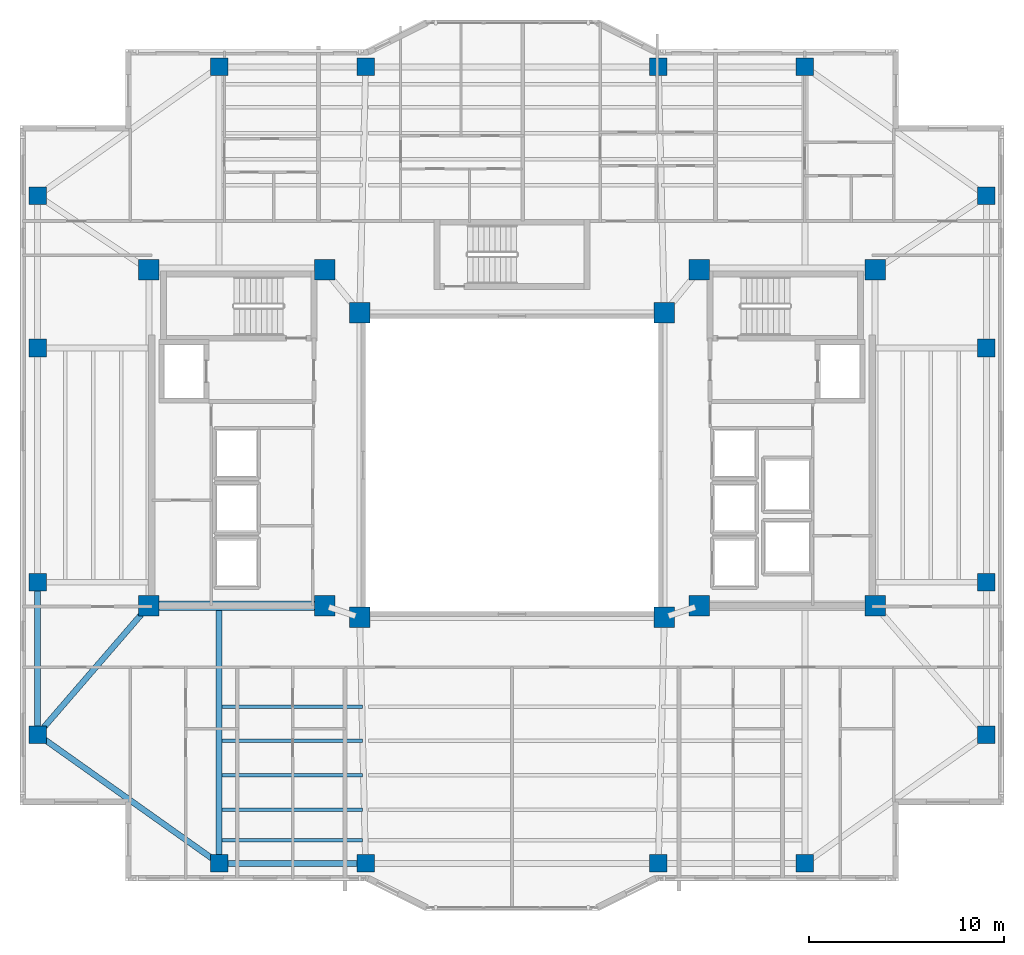
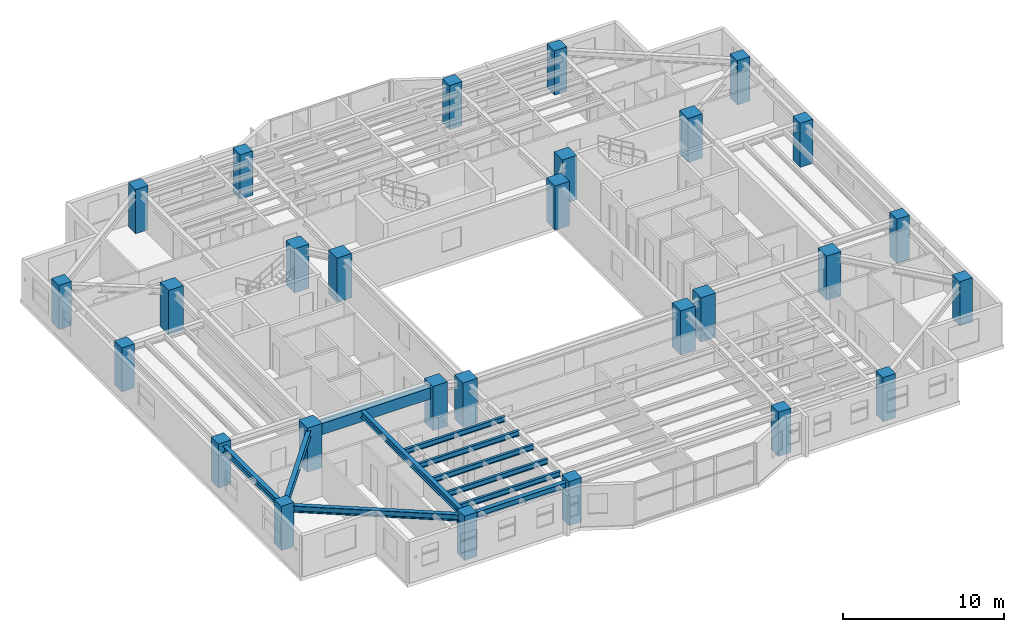
# One storey, part 1 of 16: 28 columns, 11 beams.
"""IFC4 building model written with IfcOpenShell, lengths in metres."""

from ifc_helpers import new_model, si_unit, direction, frame, origin, origin_2d, place, context, subcontext, project, spatial, rectangle, i_section, extrude, material, material_profile, profile_set, type_object, element, save


model = new_model("IFC4")

# Units and contexts
model_context = context("Model", 3, precision=1e-05, world=origin(), true_north=direction((0.0, 1.0)))
body_context = subcontext(model_context, "Body", "Model", "MODEL_VIEW")
ifc_project = project(units=[si_unit("LENGTHUNIT", "METRE"), si_unit("AREAUNIT", "SQUARE_METRE"), si_unit("VOLUMEUNIT", "CUBIC_METRE"), si_unit("PLANEANGLEUNIT", "RADIAN"), si_unit("MASSUNIT", "GRAM", prefix="KILO")], contexts=[model_context])

# Site, building, storey
site_placement = place(None, origin())
site = spatial("IfcSite", under=ifc_project, at=site_placement, CompositionType="ELEMENT")
building_placement = place(site_placement, origin())
building = spatial("IfcBuilding", under=site, at=building_placement, Name="Tarnavaz Court Tower", CompositionType="ELEMENT")
storey_placement = place(building_placement, frame((0.0, 0.0, 156.050048828125)))
storey = spatial("IfcBuildingStorey", under=building, at=storey_placement, Name="L42", CompositionType="ELEMENT", Elevation=156.050048828125)

# Columns
ifc_material_1 = material(Name="Concrete C60/75", Category="concrete")
ifc_material_profile_1 = material_profile(ifc_material_1, rectangle(XDim=1.050048828125, YDim=1.050048828125, at=origin_2d()), Name="RC 1050X1050")
ifc_profile_set_1 = profile_set([ifc_material_profile_1], Name="Concrete C60/75")
column_type_1 = type_object("IfcColumnType", Name="CL-RC1050", PredefinedType="COLUMN", material=ifc_profile_set_1)
for number, where, z_axis, x_axis, name in (
    (1, (-7.800048828125, -7.800048828125, 0.0), (0.0, 0.0, 1.0), (1.0, 0.0, 0.0), "L42 Column IW-SW"),
    (2, (7.800048828125, -7.800048828125, 0.0), (0.0, 0.0, 1.0), (1.0, 0.0, 0.0), "L42 Column IW-SE"),
    (3, (-7.800048828125, 7.800048828125, 0.0), (0.0, 0.0, 1.0), (1.0, 0.0, 0.0), "L42 Column IW-NW"),
    (4, (7.800048828125, 7.800048828125, 0.0), (0.0, 0.0, 1.0), (1.0, 0.0, 0.0), "L42 Column IW-NE"),
    (5, (-9.60009765625, -7.199951171875, 0.0), (0.0, 0.0, 1.0), (1.0, 0.0, 0.0), "L42 Column CW-SI"),
    (6, (-9.60009765625, 10.0, 0.0), (0.0, 0.0, 1.0), (1.0, 0.0, 0.0), "L42 Column CW-NI"),
    (7, (9.60009765625, -7.199951171875, 0.0), (0.0, 0.0, 1.0), (1.0, 0.0, 0.0), "L42 Column CE-SI"),
    (8, (9.60009765625, 10.0, 0.0), (0.0, 0.0, 1.0), (1.0, 0.0, 0.0), "L42 Column CE-NI"),
    (9, (-18.60009765625, -7.199951171875, 0.0), (0.0, 0.0, 1.0), (1.0, 0.0, 0.0), "L42 Column CW-SO"),
    (10, (-18.60009765625, 10.0, 0.0), (0.0, 0.0, 1.0), (1.0, 0.0, 0.0), "L42 Column CW-NO"),
    (11, (18.60009765625, -7.199951171875, 0.0), (0.0, 0.0, 1.0), (1.0, 0.0, 0.0), "L42 Column CE-SO"),
    (12, (18.60009765625, 10.0, 0.0), (0.0, 0.0, 1.0), (1.0, 0.0, 0.0), "L42 Column CE-NO"),
):
    element("IfcColumn", number, at=place(storey_placement, frame(where, z_axis=z_axis, x_axis=x_axis)), inside=storey, type_object=column_type_1, Name=name, PredefinedType="COLUMN", context=body_context, shape_type="SweptSolid", body=[
        extrude(rectangle(XDim=1.050048828125, YDim=1.050048828125, at=origin_2d()), origin(), (0.0, 0.0, 1.0), 3.349853515625),
    ])
ifc_material_2 = material(Name="Concrete C50/60", Category="concrete")
ifc_material_profile_2 = material_profile(ifc_material_2, rectangle(XDim=0.89990234375, YDim=0.89990234375, at=origin_2d()), Name="RC 900X900")
ifc_profile_set_2 = profile_set([ifc_material_profile_2], Name="Concrete C50/60")
column_type_2 = type_object("IfcColumnType", Name="CL-RC900", PredefinedType="COLUMN", material=ifc_profile_set_2)
for number, where, z_axis, x_axis, name in (
    (13, (-15.0, 20.39990234375, 0.0), (0.0, 0.0, 1.0), (1.0, 0.0, 0.0), "L42 Column PN-1"),
    (14, (-7.5, 20.39990234375, 0.0), (0.0, 0.0, 1.0), (1.0, 0.0, 0.0), "L42 Column PN-2"),
    (15, (7.5, 20.39990234375, 0.0), (0.0, 0.0, 1.0), (1.0, 0.0, 0.0), "L42 Column PN-3"),
    (16, (15.0, 20.39990234375, 0.0), (0.0, 0.0, 1.0), (1.0, 0.0, 0.0), "L42 Column PN-4"),
    (17, (-15.0, -20.39990234375, 0.0), (0.0, 0.0, 1.0), (1.0, 0.0, 0.0), "L42 Column PS-1"),
    (18, (-7.5, -20.39990234375, 0.0), (0.0, 0.0, 1.0), (1.0, 0.0, 0.0), "L42 Column PS-2"),
    (19, (7.5, -20.39990234375, 0.0), (0.0, 0.0, 1.0), (1.0, 0.0, 0.0), "L42 Column PS-3"),
    (20, (15.0, -20.39990234375, 0.0), (0.0, 0.0, 1.0), (1.0, 0.0, 0.0), "L42 Column PS-4"),
    (21, (24.300048828125, -13.800048828125, 0.0), (0.0, 0.0, 1.0), (1.0, 0.0, 0.0), "L42 Column PE-1"),
    (22, (24.300048828125, -6.0, 0.0), (0.0, 0.0, 1.0), (1.0, 0.0, 0.0), "L42 Column PE-2"),
    (23, (24.300048828125, 6.0, 0.0), (0.0, 0.0, 1.0), (1.0, 0.0, 0.0), "L42 Column PE-3"),
    (24, (24.300048828125, 13.800048828125, 0.0), (0.0, 0.0, 1.0), (1.0, 0.0, 0.0), "L42 Column PE-4"),
    (25, (-24.300048828125, -13.800048828125, 0.0), (0.0, 0.0, 1.0), (1.0, 0.0, 0.0), "L42 Column PW-1"),
    (26, (-24.300048828125, -6.0, 0.0), (0.0, 0.0, 1.0), (1.0, 0.0, 0.0), "L42 Column PW-2"),
    (27, (-24.300048828125, 6.0, 0.0), (0.0, 0.0, 1.0), (1.0, 0.0, 0.0), "L42 Column PW-3"),
    (28, (-24.300048828125, 13.800048828125, 0.0), (0.0, 0.0, 1.0), (1.0, 0.0, 0.0), "L42 Column PW-4"),
):
    element("IfcColumn", number, at=place(storey_placement, frame(where, z_axis=z_axis, x_axis=x_axis)), inside=storey, type_object=column_type_2, Name=name, PredefinedType="COLUMN", context=body_context, shape_type="SweptSolid", body=[
        extrude(rectangle(XDim=0.89990234375, YDim=0.89990234375, at=origin_2d()), origin(), (0.0, 0.0, 1.0), 3.349853515625),
    ])

# Beams
ifc_material_profile_3 = material_profile(ifc_material_2, rectangle(XDim=0.5, YDim=0.85009765625, at=origin_2d()), Name="RC 500X850")
ifc_profile_set_3 = profile_set([ifc_material_profile_3], Name="Concrete C50/60")
beam_type_1 = type_object("IfcBeamType", Name="BM-CB850", PredefinedType="LINTEL", material=ifc_profile_set_3)
beam_1_placement = place(storey_placement, frame((-18.3798828125, -7.199951171875, 2.675048828125), z_axis=(1.0, 0.0, 0.0), x_axis=(0.0, 1.0, 0.0)))
element("IfcBeam", 29, at=beam_1_placement, inside=storey, type_object=beam_type_1, Name="L42 Beam IN-CW-SO-CW-SI", PredefinedType="LINTEL", context=body_context, shape_type="SweptSolid", body=[
    extrude(rectangle(XDim=0.5, YDim=0.85009765625, at=origin_2d()), origin(), (0.0, 0.0, 1.0), 8.559814453125),
])
ifc_material_3 = material(Name="Steel S355", Category="steel")
ifc_material_profile_4 = material_profile(ifc_material_3, i_section(OverallWidth=0.300048828125, OverallDepth=0.5, WebThickness=0.014404296875, FlangeThickness=0.028076171875, FilletRadius=0.027099609375, at=origin_2d()), Name="HEB 500")
ifc_profile_set_4 = profile_set([ifc_material_profile_4], Name="Steel S355")
beam_type_2 = type_object("IfcBeamType", Name="BM-G-HEB500", PredefinedType="USERDEFINED", material=ifc_profile_set_4)
beam_2_placement = place(storey_placement, frame((-15.0, -7.239990234375, 2.849853515625), z_axis=(0.0, -1.0, 0.0), x_axis=(1.0, 0.0, 0.0)))
element("IfcBeam", 30, at=beam_2_placement, inside=storey, type_object=beam_type_2, Name="L42 Beam RG-05", ObjectType="GIRDER", PredefinedType="USERDEFINED", context=body_context, shape_type="SweptSolid", body=[
    extrude(i_section(OverallWidth=0.300048828125, OverallDepth=0.5, WebThickness=0.014404296875, FlangeThickness=0.028076171875, FilletRadius=0.027099609375, at=origin_2d()), origin(), (0.0, 0.0, 1.0), 12.93994140625),
])
beam_3_placement = place(storey_placement, frame((-18.743896484375, -7.366455078125, 2.849853515625), z_axis=(-0.653610659012, -0.756830962914, 0.0), x_axis=(0.756830962914, -0.653610659012, 0.0)))
element("IfcBeam", 31, at=beam_3_placement, inside=storey, type_object=beam_type_2, Name="L42 Beam RG-15", ObjectType="GIRDER", PredefinedType="USERDEFINED", context=body_context, shape_type="SweptSolid", body=[
    extrude(i_section(OverallWidth=0.300048828125, OverallDepth=0.5, WebThickness=0.014404296875, FlangeThickness=0.028076171875, FilletRadius=0.027099609375, at=origin_2d()), origin(), (0.0, 0.0, 1.0), 8.28076171875),
])
ifc_material_profile_5 = material_profile(ifc_material_3, i_section(OverallWidth=0.179931640625, OverallDepth=0.39990234375, WebThickness=0.008544921875, FlangeThickness=0.013427734375, FilletRadius=0.02099609375, at=origin_2d()), Name="IPE 400")
ifc_profile_set_5 = profile_set([ifc_material_profile_5], Name="Steel S355")
beam_type_3 = type_object("IfcBeamType", Name="BM-J-IPE400", PredefinedType="JOIST", material=ifc_profile_set_5)
for number, where, z_axis, x_axis, name in (
    (32, (-14.85009765625, -12.364013671875, 2.89990234375), (1.0, 0.0, 0.0), (0.0, 1.0, 0.0), "L42 Beam JS1-1"),
    (33, (-14.85009765625, -14.1279296875, 2.89990234375), (1.0, 0.0, 0.0), (0.0, 1.0, 0.0), "L42 Beam JS2-1"),
    (34, (-14.85009765625, -15.89208984375, 2.89990234375), (1.0, 0.0, 0.0), (0.0, 1.0, 0.0), "L42 Beam JS3-1"),
    (35, (-14.85009765625, -17.656005859375, 2.89990234375), (1.0, 0.0, 0.0), (0.0, 1.0, 0.0), "L42 Beam JS4-1"),
    (36, (-14.85009765625, -19.22412109375, 2.89990234375), (1.0, 0.0, 0.0), (0.0, 1.0, 0.0), "L42 Beam JS5-1"),
):
    element("IfcBeam", number, at=place(storey_placement, frame(where, z_axis=z_axis, x_axis=x_axis)), inside=storey, type_object=beam_type_3, Name=name, PredefinedType="JOIST", context=body_context, shape_type="SweptSolid", body=[
        extrude(i_section(OverallWidth=0.179931640625, OverallDepth=0.39990234375, WebThickness=0.008544921875, FlangeThickness=0.013427734375, FilletRadius=0.02099609375, at=origin_2d()), origin(), (0.0, 0.0, 1.0), 7.2001953125),
    ])
ifc_material_profile_6 = material_profile(ifc_material_3, i_section(OverallWidth=0.300048828125, OverallDepth=0.489990234375, WebThickness=0.011962890625, FlangeThickness=0.02294921875, FilletRadius=0.027099609375, at=origin_2d()), Name="HEA 500")
ifc_profile_set_6 = profile_set([ifc_material_profile_6], Name="Steel S355")
beam_type_4 = type_object("IfcBeamType", Name="BM-SP-HEA500", PredefinedType="SPANDREL", material=ifc_profile_set_6)
beam_4_placement = place(storey_placement, frame((-14.780029296875, -20.39990234375, 2.85498046875), z_axis=(1.0, 0.0, 0.0), x_axis=(0.0, 1.0, 0.0)))
element("IfcBeam", 37, at=beam_4_placement, inside=storey, type_object=beam_type_4, Name="L42 Beam PR-PS-1-PS-2", PredefinedType="SPANDREL", context=body_context, shape_type="SweptSolid", body=[
    extrude(i_section(OverallWidth=0.300048828125, OverallDepth=0.489990234375, WebThickness=0.011962890625, FlangeThickness=0.02294921875, FilletRadius=0.027099609375, at=origin_2d()), origin(), (0.0, 0.0, 1.0), 7.06005859375),
])
beam_5_placement = place(storey_placement, frame((-24.300048828125, -13.580078125, 2.85498046875), z_axis=(0.0, 1.0, 0.0), x_axis=(-1.0, 0.0, 0.0)))
element("IfcBeam", 38, at=beam_5_placement, inside=storey, type_object=beam_type_4, Name="L42 Beam PR-PW-1-PW-2", PredefinedType="SPANDREL", context=body_context, shape_type="SweptSolid", body=[
    extrude(i_section(OverallWidth=0.300048828125, OverallDepth=0.489990234375, WebThickness=0.011962890625, FlangeThickness=0.02294921875, FilletRadius=0.027099609375, at=origin_2d()), origin(), (0.0, 0.0, 1.0), 7.360107421875),
])
beam_6_placement = place(storey_placement, frame((-15.179443359375, -20.272705078125, 2.85498046875), z_axis=(-0.815502059396, 0.57875417158, 0.0), x_axis=(-0.57875417158, -0.815502059396, 0.0)))
element("IfcBeam", 39, at=beam_6_placement, inside=storey, type_object=beam_type_4, Name="L42 Beam PR-PS-1-PW-1", PredefinedType="SPANDREL", context=body_context, shape_type="SweptSolid", body=[
    extrude(i_section(OverallWidth=0.300048828125, OverallDepth=0.489990234375, WebThickness=0.011962890625, FlangeThickness=0.02294921875, FilletRadius=0.027099609375, at=origin_2d()), origin(), (0.0, 0.0, 1.0), 10.964111328125),
])

save(model, "model.ifc")
